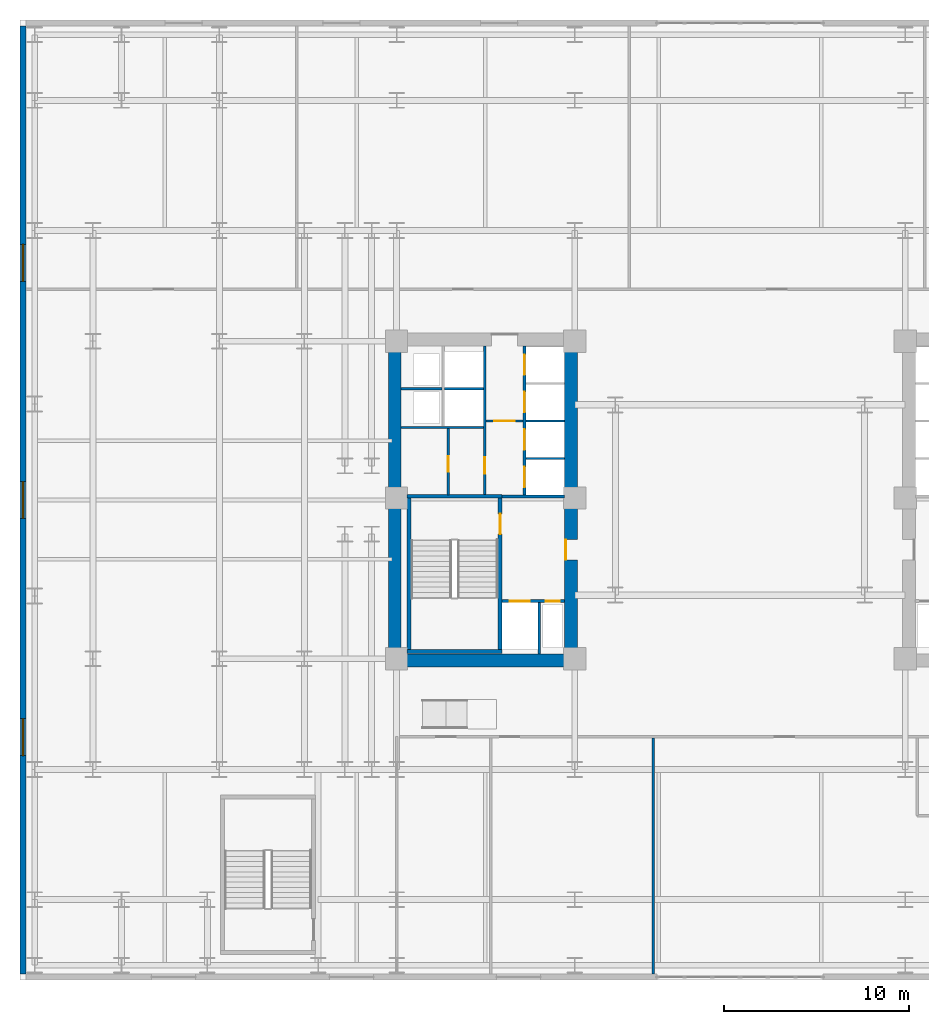
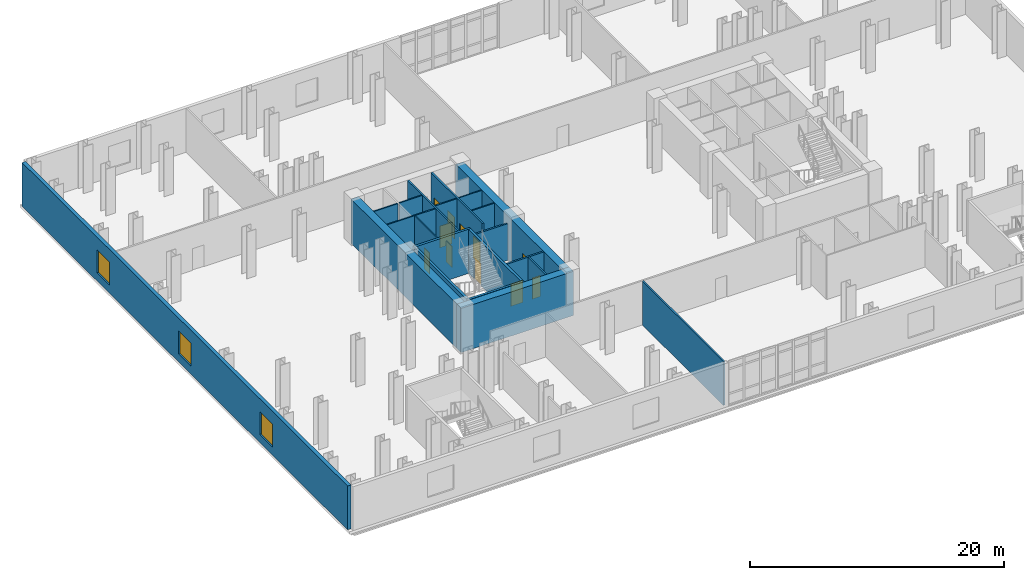
# One storey, part 8 of 13: 21 walls, 11 doors, 3 windows, 14 openings.
"""IFC4 building model written with IfcOpenShell, lengths in metres."""

import ifcopenshell
import ifcopenshell.guid

model = None  # the IFC model being written
_history = None  # IfcOwnerHistory: only IFC2X3 demands one
_inside = {}  # id of a spatial element -> (the spatial element, [elements in it])
_under = {}  # id of a project, library or spatial element -> (it, [spatial elements below it])
_declared = {}  # id of a project -> (the project, [libraries it declares])
_typed = {}  # id of a type object -> (the type object, [elements of that type])
_made_of = {}  # id of a material, layer set ... -> (it, [elements and type objects made of it])


def new_model(schema):
    """Start an empty IFC model of exactly this schema.

    Asked for "IFC4X3", IfcOpenShell would pick the latest addendum, in which some entities
    have other attributes; the version numbers below select the first issue.
    IFC2X3 requires an IfcOwnerHistory on every rooted entity: one is made here for all.
    """
    global model, _history
    if schema == "IFC4X3":
        model = ifcopenshell.file(schema_version=(4, 3, 0, 0))
    else:
        model = ifcopenshell.file(schema=schema)
    _inside.clear()
    _under.clear()
    _declared.clear()
    _typed.clear()
    _made_of.clear()
    _history = None
    if model.schema == "IFC2X3":
        org = make("IfcOrganization", Name="unknown")
        user = make(
            "IfcPersonAndOrganization",
            ThePerson=make("IfcPerson", FamilyName="unknown"),
            TheOrganization=org,
        )
        app = make(
            "IfcApplication",
            ApplicationDeveloper=org,
            Version="unknown",
            ApplicationFullName="unknown",
            ApplicationIdentifier="unknown",
        )
        _history = make(
            "IfcOwnerHistory",
            OwningUser=user,
            OwningApplication=app,
            ChangeAction="ADDED",
            CreationDate=0,
        )
    return model


def make(cls, **values):
    """One entity of the class cls with the attributes given. An attribute that is None is left unset."""
    return model.create_entity(
        cls, **{name: value for name, value in values.items() if value is not None}
    )


def rooted(cls, **values):
    """An entity with a GlobalId (a new one), such as an element, a storey or a relation."""
    return make(cls, GlobalId=ifcopenshell.guid.new(), OwnerHistory=_history, **values)


def si_unit(unit_type, name, prefix=None):
    """IfcSIUnit, for example si_unit("LENGTHUNIT", "METRE", prefix="MILLI")."""
    return make("IfcSIUnit", UnitType=unit_type, Prefix=prefix, Name=name)


def assignment(units):
    """IfcUnitAssignment: the units of a project."""
    return None if units is None else make("IfcUnitAssignment", Units=units)


def point(xyz):
    """IfcCartesianPoint."""
    return None if xyz is None else make("IfcCartesianPoint", Coordinates=xyz)


def direction(xyz):
    """IfcDirection."""
    return None if xyz is None else make("IfcDirection", DirectionRatios=xyz)


def frame(location, z_axis=None, x_axis=None):
    """IfcAxis2Placement3D, a coordinate frame: its origin and axes. An axis left out is left unset."""
    return make(
        "IfcAxis2Placement3D",
        Location=point(location),
        Axis=direction(z_axis),
        RefDirection=direction(x_axis),
    )


def frame_2d(location, x_axis=None):
    """IfcAxis2Placement2D, a coordinate frame in the plane: its origin and x axis."""
    return make(
        "IfcAxis2Placement2D", Location=point(location), RefDirection=direction(x_axis)
    )


def origin():
    """The frame at (0, 0, 0) with its axes left unset."""
    return frame((0.0, 0.0, 0.0))


def place(relative_to, where):
    """IfcLocalPlacement: puts the frame where relative to a parent placement (None: the world)."""
    return make(
        "IfcLocalPlacement", PlacementRelTo=relative_to, RelativePlacement=where
    )


def context(
    kind, dimensions, precision=None, world=None, true_north=None, identifier=None
):
    """IfcGeometricRepresentationContext, for example the 3D "Model" context."""
    return make(
        "IfcGeometricRepresentationContext",
        ContextIdentifier=identifier,
        ContextType=kind,
        CoordinateSpaceDimension=dimensions,
        Precision=precision,
        WorldCoordinateSystem=world,
        TrueNorth=true_north,
    )


def subcontext(parent, identifier, kind, view, scale=None):
    """IfcGeometricRepresentationSubContext, for example "Body" below "Model"."""
    return make(
        "IfcGeometricRepresentationSubContext",
        ContextIdentifier=identifier,
        ContextType=kind,
        ParentContext=parent,
        TargetScale=scale,
        TargetView=view,
    )


def project(units=None, contexts=None):
    """IfcProject with its units and contexts."""
    return rooted(
        "IfcProject",
        Name="project",
        RepresentationContexts=contexts,
        UnitsInContext=assignment(units),
    )


def spatial(cls, under=None, at=None, **own):
    """A site, building, storey or space (cls), placed at a placement, below another one or the project."""
    s = rooted(cls, ObjectPlacement=at, **own)
    if under is not None:
        _under.setdefault(under.id(), (under, []))[1].append(s)
    return s


def profile(cls, at=None, kind="AREA", **sizes):
    """A parametric profile (cls). Its sizes go by their IFC names, for example OverallWidth=200.0."""
    return make(cls, ProfileType=kind, Position=at, **sizes)


def rectangle(**sizes):
    """IfcRectangleProfileDef."""
    return profile("IfcRectangleProfileDef", **sizes)


def extrude(swept, where, along, depth):
    """IfcExtrudedAreaSolid: the profile swept, set in the frame where, extruded along a direction by depth."""
    return make(
        "IfcExtrudedAreaSolid",
        SweptArea=swept,
        Position=where,
        ExtrudedDirection=direction(along),
        Depth=depth,
    )


def shape(context_of_items, identifier, shape_type, items):
    """IfcShapeRepresentation: the items that make up one representation, for example the "Body"."""
    return make(
        "IfcShapeRepresentation",
        ContextOfItems=context_of_items,
        RepresentationIdentifier=identifier,
        RepresentationType=shape_type,
        Items=items,
    )


def material(Name=None, Category=None):
    """IfcMaterial."""
    return make("IfcMaterial", Name=Name, Category=Category)


def layer(
    of_material, thickness, ventilated=None, Name=None, Category=None, Priority=None
):
    """IfcMaterialLayer: one layer of a wall or slab, of a material (None: an air gap)."""
    return make(
        "IfcMaterialLayer",
        Material=of_material,
        LayerThickness=thickness,
        IsVentilated=ventilated,
        Name=Name,
        Category=Category,
        Priority=Priority,
    )


def layer_set(layers, Name=None):
    """IfcMaterialLayerSet."""
    return make("IfcMaterialLayerSet", MaterialLayers=layers, LayerSetName=Name)


def made_of(thing, what):
    """Note that an element or type object is made of a material, layer set ...; save() writes the relation."""
    if what is not None:
        _made_of.setdefault(what.id(), (what, []))[1].append(thing)
    return thing


def type_object(cls, material=None, **own):
    """A type object (cls), such as IfcWallType, which elements share."""
    return made_of(rooted(cls, **own), material)


def element(
    cls,
    number,
    at=None,
    inside=None,
    cuts=None,
    type_object=None,
    material=None,
    context=None,
    identifier="Body",
    shape_type=None,
    held_by="IfcProductDefinitionShape",
    body=None,
    shapes=None,
    **own,
):
    """One element of the class cls, such as IfcWall. Its Tag is "e" and its number.

    at: its placement. inside: the storey or other place that contains it. cuts: it is an
    opening in that element (IfcRelVoidsElement). A single representation is given by context,
    identifier, shape_type and body (its items); several are given by shapes. held_by: the class
    of the entity that holds the representations. save() writes the other relations.
    """
    e = rooted(cls, Tag="e%d" % number, ObjectPlacement=at, **own)
    if body is not None:
        shapes = [shape(context, identifier, shape_type, body)]
    if shapes is not None:
        e.Representation = make(held_by, Representations=shapes)
    if inside is not None:
        _inside.setdefault(inside.id(), (inside, []))[1].append(e)
    if cuts is not None:
        rooted(
            "IfcRelVoidsElement", RelatingBuildingElement=cuts, RelatedOpeningElement=e
        )
    if type_object is not None:
        _typed.setdefault(type_object.id(), (type_object, []))[1].append(e)
    return made_of(e, material)


def fill(opening, filler):
    """IfcRelFillsElement: the door or window that sits in an opening."""
    return rooted(
        "IfcRelFillsElement",
        RelatingOpeningElement=opening,
        RelatedBuildingElement=filler,
    )


def aggregate(whole, parts):
    """IfcRelAggregates: a whole, such as a stair, and the parts it consists of."""
    return rooted("IfcRelAggregates", RelatingObject=whole, RelatedObjects=parts)


def save(model, path):
    """Write the relations noted so far, then the file.

    IfcRelAggregates (storeys below a building ...), IfcRelContainedInSpatialStructure (elements
    in a storey), IfcRelDefinesByType, IfcRelAssociatesMaterial and IfcRelDeclares: one each for
    every whole, place, type object, material and project.
    """
    for whole, parts in _under.values():
        aggregate(whole, parts)
    for where, things in _inside.values():
        rooted(
            "IfcRelContainedInSpatialStructure",
            RelatedElements=things,
            RelatingStructure=where,
        )
    for kind, things in _typed.values():
        rooted("IfcRelDefinesByType", RelatedObjects=things, RelatingType=kind)
    for what, things in _made_of.values():
        rooted("IfcRelAssociatesMaterial", RelatedObjects=things, RelatingMaterial=what)
    for by, libraries in _declared.values():
        rooted("IfcRelDeclares", RelatingContext=by, RelatedDefinitions=libraries)
    model.write(path)


model = new_model("IFC4")

# Units and contexts
model_context = context("Model", 3, precision=1e-05, world=origin(), true_north=direction((0.0, 1.0)))
body_context = subcontext(model_context, "Body", "Model", "MODEL_VIEW")
ifc_project = project(units=[si_unit("LENGTHUNIT", "METRE"), si_unit("AREAUNIT", "SQUARE_METRE"), si_unit("VOLUMEUNIT", "CUBIC_METRE"), si_unit("PLANEANGLEUNIT", "RADIAN"), si_unit("MASSUNIT", "GRAM", prefix="KILO")], contexts=[model_context])

# Site, building, storey
site_placement = place(None, origin())
site = spatial("IfcSite", under=ifc_project, at=site_placement, CompositionType="ELEMENT")
building_placement = place(site_placement, origin())
building = spatial("IfcBuilding", under=site, at=building_placement, Name="Velakula Bourse", CompositionType="ELEMENT")
storey_placement = place(building_placement, frame((0.0, 0.0, 5.10009765625)))
storey = spatial("IfcBuildingStorey", under=building, at=storey_placement, Name="L01", CompositionType="ELEMENT", Elevation=5.10009765625)

# Wall, opening, door
ifc_material_1 = material(Name="Concrete M50 (fck 50 MPa)", Category="concrete")
ifc_layer_1 = layer(ifc_material_1, 0.2099609375, Name="Concrete M50 (fck 50 MPa)", Category="concrete")
ifc_layer_set_1 = layer_set([ifc_layer_1], Name="Concrete M50 (fck 50 MPa)")
wall_type_1 = type_object("IfcWallType", Name="WL-CORE-210", PredefinedType="SHEAR", material=ifc_layer_set_1)
wall_1_placement = place(storey_placement, frame((-12.9951171875, -8.10009765625, 0.0), z_axis=(0.0, 0.0, 1.0), x_axis=(0.0, 1.0, 0.0)))
wall_1 = element("IfcWall", 1, at=wall_1_placement, inside=storey, type_object=wall_type_1, Name="L01 Core W Stairwell Shear Wall IN", PredefinedType="SHEAR", context=body_context, shape_type="SweptSolid", body=[
    extrude(rectangle(XDim=8.2001953125, YDim=0.2099609375, at=frame_2d((4.10009765625, 0.0))), origin(), (0.0, 0.0, 1.0), 4.25),
])
opening_1_placement = place(wall_1_placement, frame((6.25, 0.0, 0.0)))
opening_1 = element("IfcOpeningElement", 2, at=opening_1_placement, cuts=wall_1, Name="Opening D-STW1", PredefinedType="OPENING", context=body_context, shape_type="SweptSolid", body=[
    extrude(rectangle(XDim=1.10009765625, YDim=2.14990234375, at=frame_2d((0.550048828125, 1.074951171875))), frame((0.0, 0.114990234375, 0.0), z_axis=(0.0, -1.0, 0.0), x_axis=(1.0, 0.0, 0.0)), (0.0, 0.0, 1.0), 0.22998046875),
])
ifc_material_2 = material(Name="Galvanised painted hollow steel fire door", Category="steel")
door_type_1 = type_object("IfcDoorType", Name="DR-FD120-1100x2150", OperationType="NOTDEFINED", PredefinedType="DOOR", material=ifc_material_2)
door_1_placement = place(opening_1_placement, origin())
door_1 = element("IfcDoor", 3, at=door_1_placement, inside=storey, type_object=door_type_1, Name="L01 Stair ST-W1 Fire Door", OperationType="SINGLE_SWING_LEFT", OverallHeight=2.14990234375, OverallWidth=1.10009765625, PredefinedType="DOOR", context=body_context, shape_type="SweptSolid", body=[
    extrude(rectangle(XDim=1.10009765625, YDim=2.14990234375, at=frame_2d((0.550048828125, 1.074951171875))), frame((0.0, 0.02490234375, 0.0), z_axis=(0.0, -1.0, 0.0), x_axis=(1.0, 0.0, 0.0)), (0.0, 0.0, 1.0), 0.050048828125),
])
fill(opening_1, door_1)

# Walls
wall_2_placement = place(storey_placement, frame((-17.925048828125, -8.10009765625, 0.0), z_axis=(0.0, 0.0, 1.0), x_axis=(0.0, 1.0, 0.0)))
element("IfcWall", 4, at=wall_2_placement, inside=storey, type_object=wall_type_1, Name="L01 Core W Stairwell Shear Wall OUT", PredefinedType="SHEAR", context=body_context, shape_type="SweptSolid", body=[
    extrude(rectangle(XDim=8.2001953125, YDim=0.2099609375, at=frame_2d((4.10009765625, 0.0))), origin(), (0.0, 0.0, 1.0), 4.25),
])
for number, where, z_axis, x_axis, name in (
    (5, (-18.030029296875, -8.205078125, 0.0), (0.0, 0.0, 1.0), (1.0, 0.0, 0.0), "L01 Core W Stairwell Shear Wall S"),
    (6, (-12.889892578125, 0.205078125, 0.0), (0.0, 0.0, 1.0), (-1.0, 0.0, 0.0), "L01 Core W Stairwell Shear Wall N"),
):
    element("IfcWall", number, at=place(storey_placement, frame(where, z_axis=z_axis, x_axis=x_axis)), inside=storey, type_object=wall_type_1, Name=name, PredefinedType="SHEAR", context=body_context, shape_type="SweptSolid", body=[
        extrude(rectangle(XDim=5.14013671875, YDim=0.2099609375, at=frame_2d((2.570068359375, 0.0))), origin(), (0.0, 0.0, 1.0), 4.25),
    ])
ifc_material_3 = material(Name="Concrete M70 (fck 70 MPa)", Category="concrete")
ifc_layer_2 = layer(ifc_material_3, 0.699951171875, Name="Concrete M70 (fck 70 MPa)", Category="concrete")
ifc_layer_set_2 = layer_set([ifc_layer_2], Name="Concrete M70 (fck 70 MPa)")
wall_type_2 = type_object("IfcWallType", Name="WL-CORE-700", PredefinedType="SHEAR", material=ifc_layer_set_2)
wall_3_placement = place(storey_placement, frame((-19.050048828125, -8.699951171875, 0.0), z_axis=(0.0, 0.0, 1.0), x_axis=(1.0, 0.0, 0.0)))
element("IfcWall", 7, at=wall_3_placement, inside=storey, type_object=wall_type_2, Name="L01 Core W Shear Wall S", PredefinedType="SHEAR", context=body_context, shape_type="SweptSolid", body=[
    extrude(rectangle(XDim=10.25, YDim=0.699951171875, at=frame_2d((5.125, 0.0))), origin(), (0.0, 0.0, 1.0), 4.25),
])
wall_4_placement = place(storey_placement, frame((-18.699951171875, -8.35009765625, 0.0), z_axis=(0.0, 0.0, 1.0), x_axis=(0.0, 1.0, 0.0)))
element("IfcWall", 8, at=wall_4_placement, inside=storey, type_object=wall_type_2, Name="L01 Core W Shear Wall W", PredefinedType="SHEAR", context=body_context, shape_type="SweptSolid", body=[
    extrude(rectangle(XDim=16.7001953125, YDim=0.699951171875, at=frame_2d((8.35009765625, 0.0))), origin(), (0.0, 0.0, 1.0), 4.25),
])

# Wall, opening, door
wall_5_placement = place(storey_placement, frame((-9.14990234375, -8.35009765625, 0.0), z_axis=(0.0, 0.0, 1.0), x_axis=(0.0, 1.0, 0.0)))
wall_5 = element("IfcWall", 9, at=wall_5_placement, inside=storey, type_object=wall_type_2, Name="L01 Core W Shear Wall E", PredefinedType="SHEAR", context=body_context, shape_type="SweptSolid", body=[
    extrude(rectangle(XDim=16.7001953125, YDim=0.699951171875, at=frame_2d((8.35009765625, 0.0))), origin(), (0.0, 0.0, 1.0), 4.25),
])
opening_2_placement = place(wall_5_placement, frame((5.10009765625, 0.0, 0.0)))
opening_2 = element("IfcOpeningElement", 10, at=opening_2_placement, cuts=wall_5, Name="Opening D-FLW", PredefinedType="OPENING", context=body_context, shape_type="SweptSolid", body=[
    extrude(rectangle(XDim=1.10009765625, YDim=2.080078125, at=frame_2d((0.550048828125, 1.0400390625))), frame((0.0, 0.35986328125, 0.0), z_axis=(0.0, -1.0, 0.0), x_axis=(1.0, 0.0, 0.0)), (0.0, 0.0, 1.0), 0.719970703125),
])
door_type_2 = type_object("IfcDoorType", Name="DR-FD120-1100", OperationType="NOTDEFINED", PredefinedType="DOOR", material=ifc_material_2)
door_2_placement = place(opening_2_placement, origin())
door_2 = element("IfcDoor", 11, at=door_2_placement, inside=storey, type_object=door_type_2, Name="L01 Firefighting Lobby W Corridor Fire Door", OperationType="SINGLE_SWING_LEFT", OverallHeight=2.080078125, OverallWidth=1.10009765625, PredefinedType="DOOR", context=body_context, shape_type="SweptSolid", body=[
    extrude(rectangle(XDim=1.10009765625, YDim=2.080078125, at=frame_2d((0.550048828125, 1.0400390625))), frame((0.0, 0.30517578125, 0.0), z_axis=(0.0, -1.0, 0.0), x_axis=(1.0, 0.0, 0.0)), (0.0, 0.0, 1.0), 0.050048828125),
])
fill(opening_2, door_2)

# Wall, openings, windows
ifc_material_4 = material(Name="Red kilned clay facing brick masonry", Category="masonry")
ifc_layer_3 = layer(ifc_material_4, 0.320068359375, Name="Red kilned clay facing brick masonry", Category="masonry")
ifc_layer_set_3 = layer_set([ifc_layer_3], Name="Red kilned clay facing brick masonry")
wall_type_3 = type_object("IfcWallType", Name="WL-EXT-BRK-320", PredefinedType="STANDARD", material=ifc_layer_set_3)
wall_6_placement = place(storey_placement, frame((-38.840087890625, -25.679931640625, 0.0), z_axis=(0.0, 0.0, 1.0), x_axis=(0.0, 1.0, 0.0)))
wall_6 = element("IfcWall", 12, at=wall_6_placement, inside=storey, type_object=wall_type_3, Name="L01 W Brick Facade Wall", PredefinedType="STANDARD", context=body_context, shape_type="SweptSolid", body=[
    extrude(rectangle(XDim=51.35986328125, YDim=0.320068359375, at=frame_2d((25.679931640625, 0.0))), origin(), (0.0, 0.0, 1.0), 4.22998046875),
])
opening_3_placement = place(wall_6_placement, frame((11.840087890625, 0.0, 0.800048828125)))
opening_3 = element("IfcOpeningElement", 13, at=opening_3_placement, cuts=wall_6, Name="Opening W-07", PredefinedType="OPENING", context=body_context, shape_type="SweptSolid", body=[
    extrude(rectangle(XDim=2.0, YDim=2.199951171875, at=frame_2d((1.0, 1.10009765625))), frame((0.0, 0.169921875, 0.0), z_axis=(0.0, -1.0, 0.0), x_axis=(1.0, 0.0, 0.0)), (0.0, 0.0, 1.0), 0.340087890625),
])
opening_4_placement = place(wall_6_placement, frame((24.679931640625, 0.0, 0.800048828125)))
opening_4 = element("IfcOpeningElement", 14, at=opening_4_placement, cuts=wall_6, Name="Opening W-07", PredefinedType="OPENING", context=body_context, shape_type="SweptSolid", body=[
    extrude(rectangle(XDim=2.0, YDim=2.199951171875, at=frame_2d((1.0, 1.10009765625))), frame((0.0, 0.169921875, 0.0), z_axis=(0.0, -1.0, 0.0), x_axis=(1.0, 0.0, 0.0)), (0.0, 0.0, 1.0), 0.340087890625),
])
opening_5_placement = place(wall_6_placement, frame((37.52001953125, 0.0, 0.800048828125)))
opening_5 = element("IfcOpeningElement", 15, at=opening_5_placement, cuts=wall_6, Name="Opening W-07", PredefinedType="OPENING", context=body_context, shape_type="SweptSolid", body=[
    extrude(rectangle(XDim=2.0, YDim=2.199951171875, at=frame_2d((1.0, 1.10009765625))), frame((0.0, 0.169921875, 0.0), z_axis=(0.0, -1.0, 0.0), x_axis=(1.0, 0.0, 0.0)), (0.0, 0.0, 1.0), 0.340087890625),
])
ifc_material_5 = material(Name="Double-glazed solar-control Low-E glass", Category="glass")
window_type = type_object("IfcWindowType", Name="WIN-POD-2000x2400", PartitioningType="DOUBLE_PANEL_VERTICAL", PredefinedType="WINDOW", material=ifc_material_5)
window_1_placement = place(opening_3_placement, origin())
window_1 = element("IfcWindow", 16, at=window_1_placement, inside=storey, type_object=window_type, Name="L01 Deep-Set Recessed Window 1", OverallHeight=2.199951171875, OverallWidth=2.0, PartitioningType="DOUBLE_PANEL_VERTICAL", PredefinedType="WINDOW", context=body_context, shape_type="SweptSolid", body=[
    extrude(rectangle(XDim=2.0, YDim=2.199951171875, at=frame_2d((1.0, 1.10009765625))), frame((0.0, 0.030029296875, 0.0), z_axis=(0.0, -1.0, 0.0), x_axis=(1.0, 0.0, 0.0)), (0.0, 0.0, 1.0), 0.06005859375),
])
fill(opening_3, window_1)
window_2_placement = place(opening_4_placement, origin())
window_2 = element("IfcWindow", 17, at=window_2_placement, inside=storey, type_object=window_type, Name="L01 Deep-Set Recessed Window 2", OverallHeight=2.199951171875, OverallWidth=2.0, PartitioningType="DOUBLE_PANEL_VERTICAL", PredefinedType="WINDOW", context=body_context, shape_type="SweptSolid", body=[
    extrude(rectangle(XDim=2.0, YDim=2.199951171875, at=frame_2d((1.0, 1.10009765625))), frame((0.0, 0.030029296875, 0.0), z_axis=(0.0, -1.0, 0.0), x_axis=(1.0, 0.0, 0.0)), (0.0, 0.0, 1.0), 0.06005859375),
])
fill(opening_4, window_2)
window_3_placement = place(opening_5_placement, origin())
window_3 = element("IfcWindow", 18, at=window_3_placement, inside=storey, type_object=window_type, Name="L01 Deep-Set Recessed Window 3", OverallHeight=2.199951171875, OverallWidth=2.0, PartitioningType="DOUBLE_PANEL_VERTICAL", PredefinedType="WINDOW", context=body_context, shape_type="SweptSolid", body=[
    extrude(rectangle(XDim=2.0, YDim=2.199951171875, at=frame_2d((1.0, 1.10009765625))), frame((0.0, 0.030029296875, 0.0), z_axis=(0.0, -1.0, 0.0), x_axis=(1.0, 0.0, 0.0)), (0.0, 0.0, 1.0), 0.06005859375),
])
fill(opening_5, window_3)

# Wall, opening, door
ifc_material_6 = material(Name="Fire-rated double-layer gypsum drywall partition", Category="gypsum")
ifc_layer_4 = layer(ifc_material_6, 0.1201171875, Name="Fire-rated double-layer gypsum drywall partition", Category="gypsum")
ifc_layer_set_4 = layer_set([ifc_layer_4], Name="Fire-rated double-layer gypsum drywall partition")
wall_type_4 = type_object("IfcWallType", Name="WL-PART-120", PredefinedType="STANDARD", material=ifc_layer_set_4)
wall_7_placement = place(storey_placement, frame((-13.75, 4.280029296875, 0.0), z_axis=(0.0, 0.0, 1.0), x_axis=(1.0, 0.0, 0.0)))
wall_7 = element("IfcWall", 19, at=wall_7_placement, inside=storey, type_object=wall_type_4, Name="L01 Interior Partition WL-CRW-L01-LL-K2", PredefinedType="STANDARD", context=body_context, shape_type="SweptSolid", body=[
    extrude(rectangle(XDim=2.0, YDim=0.1201171875, at=frame_2d((1.0, 0.0))), origin(), (0.0, 0.0, 1.0), 4.22998046875),
])
opening_6_placement = place(wall_7_placement, frame((0.449951171875, 0.0, 0.0)))
opening_6 = element("IfcOpeningElement", 20, at=opening_6_placement, cuts=wall_7, Name="Opening D-LK2", PredefinedType="OPENING", context=body_context, shape_type="SweptSolid", body=[
    extrude(rectangle(XDim=1.10009765625, YDim=2.10009765625, at=frame_2d((0.550048828125, 1.050048828125))), frame((0.0, 0.070068359375, 0.0), z_axis=(0.0, -1.0, 0.0), x_axis=(1.0, 0.0, 0.0)), (0.0, 0.0, 1.0), 0.14013671875),
])
ifc_material_7 = material(Name="Fire-rated hardwood flush architectural door", Category="wood")
door_type_3 = type_object("IfcDoorType", Name="DR-FD60-1100x2100", OperationType="NOTDEFINED", PredefinedType="DOOR", material=ifc_material_7)
door_3_placement = place(opening_6_placement, origin())
door_3 = element("IfcDoor", 21, at=door_3_placement, inside=storey, type_object=door_type_3, Name="L01 Core W Lift Lobby Zone Door", OperationType="SINGLE_SWING_RIGHT", OverallHeight=2.10009765625, OverallWidth=1.10009765625, PredefinedType="DOOR", context=body_context, shape_type="SweptSolid", body=[
    extrude(rectangle(XDim=1.10009765625, YDim=2.10009765625, at=frame_2d((0.550048828125, 1.050048828125))), frame((0.0, 0.02490234375, 0.0), z_axis=(0.0, -1.0, 0.0), x_axis=(1.0, 0.0, 0.0)), (0.0, 0.0, 1.0), 0.050048828125),
])
fill(opening_6, door_3)

# Walls
for number, where, z_axis, x_axis, name in (
    (22, (-11.60009765625, 2.2548828125, 0.0), (0.0, 0.0, 1.0), (1.0, 0.0, 0.0), "L01 Interior Partition WL-CRW-L01-BDIV-0"),
    (23, (-11.60009765625, 4.284912109375, 0.0), (0.0, 0.0, 1.0), (1.0, 0.0, 0.0), "L01 Interior Partition WL-CRW-L01-BDIV-1"),
):
    element("IfcWall", number, at=place(storey_placement, frame(where, z_axis=z_axis, x_axis=x_axis)), inside=storey, type_object=wall_type_4, Name=name, PredefinedType="STANDARD", context=body_context, shape_type="SweptSolid", body=[
        extrude(rectangle(XDim=2.10009765625, YDim=0.110107421875, at=frame_2d((1.050048828125, 0.0))), origin(), (0.0, 0.0, 1.0), 4.22998046875),
    ])
wall_8_placement = place(storey_placement, frame((-18.35009765625, 3.919921875, 0.0), z_axis=(0.0, 0.0, 1.0), x_axis=(1.0, 0.0, 0.0)))
element("IfcWall", 24, at=wall_8_placement, inside=storey, type_object=wall_type_4, Name="L01 Interior Partition WL-CRW-L01-HI-S", PredefinedType="STANDARD", context=body_context, shape_type="SweptSolid", body=[
    extrude(rectangle(XDim=4.4501953125, YDim=0.1201171875, at=frame_2d((2.22509765625, 0.0))), origin(), (0.0, 0.0, 1.0), 4.22998046875),
])
wall_9_placement = place(storey_placement, frame((-18.35009765625, 6.030029296875, 0.0), z_axis=(0.0, 0.0, 1.0), x_axis=(1.0, 0.0, 0.0)))
element("IfcWall", 25, at=wall_9_placement, inside=storey, type_object=wall_type_4, Name="L01 Interior Partition WL-CRW-L01-RIS-MID", PredefinedType="STANDARD", context=body_context, shape_type="SweptSolid", body=[
    extrude(rectangle(XDim=2.2001953125, YDim=0.1201171875, at=frame_2d((1.10009765625, 0.0))), origin(), (0.0, 0.0, 1.0), 4.22998046875),
])
wall_10_placement = place(storey_placement, frame((-16.0, 6.030029296875, 0.0), z_axis=(0.0, 0.0, 1.0), x_axis=(1.0, 0.0, 0.0)))
element("IfcWall", 26, at=wall_10_placement, inside=storey, type_object=wall_type_4, Name="L01 Interior Partition WL-CRW-L01-HI-DIV", PredefinedType="STANDARD", context=body_context, shape_type="SweptSolid", body=[
    extrude(rectangle(XDim=2.10009765625, YDim=0.1201171875, at=frame_2d((1.050048828125, 0.0))), origin(), (0.0, 0.0, 1.0), 4.22998046875),
])

# Wall, opening, door
wall_11_placement = place(storey_placement, frame((-15.800048828125, 0.27001953125, 0.0), z_axis=(0.0, 0.0, 1.0), x_axis=(0.0, 1.0, 0.0)))
wall_11 = element("IfcWall", 27, at=wall_11_placement, inside=storey, type_object=wall_type_4, Name="L01 Interior Partition WL-CRW-L01-K2", PredefinedType="STANDARD", context=body_context, shape_type="SweptSolid", body=[
    extrude(rectangle(XDim=3.590087890625, YDim=0.1201171875, at=frame_2d((1.794921875, 0.0))), origin(), (0.0, 0.0, 1.0), 4.22998046875),
])
opening_7_placement = place(wall_11_placement, frame((1.25, 0.0, 0.0)))
opening_7 = element("IfcOpeningElement", 28, at=opening_7_placement, cuts=wall_11, Name="Opening D-CE1", PredefinedType="OPENING", context=body_context, shape_type="SweptSolid", body=[
    extrude(rectangle(XDim=0.85009765625, YDim=2.050048828125, at=frame_2d((0.425048828125, 1.02490234375))), frame((0.0, 0.070068359375, 0.0), z_axis=(0.0, -1.0, 0.0), x_axis=(1.0, 0.0, 0.0)), (0.0, 0.0, 1.0), 0.14013671875),
])
door_type_4 = type_object("IfcDoorType", Name="DR-INT-850", OperationType="NOTDEFINED", PredefinedType="DOOR", material=ifc_material_7)
door_4_placement = place(opening_7_placement, origin())
door_4 = element("IfcDoor", 29, at=door_4_placement, inside=storey, type_object=door_type_4, Name="L01 Core Equipment Store Door", OperationType="SINGLE_SWING_RIGHT", OverallHeight=2.050048828125, OverallWidth=0.85009765625, PredefinedType="DOOR", context=body_context, shape_type="SweptSolid", body=[
    extrude(rectangle(XDim=0.85009765625, YDim=2.050048828125, at=frame_2d((0.425048828125, 1.02490234375))), frame((0.0, 0.02490234375, 0.0), z_axis=(0.0, -1.0, 0.0), x_axis=(1.0, 0.0, 0.0)), (0.0, 0.0, 1.0), 0.050048828125),
])
fill(opening_7, door_4)

# Wall
ifc_layer_5 = layer(ifc_material_6, 0.139892578125, Name="Fire-rated double-layer gypsum drywall partition", Category="gypsum")
ifc_layer_set_5 = layer_set([ifc_layer_5], Name="Fire-rated double-layer gypsum drywall partition")
wall_type_5 = type_object("IfcWallType", Name="WL-PART-140", PredefinedType="STANDARD", material=ifc_layer_set_5)
wall_12_placement = place(storey_placement, frame((-4.699951171875, -25.679931640625, 0.0), z_axis=(0.0, 0.0, 1.0), x_axis=(0.0, 1.0, 0.0)))
element("IfcWall", 30, at=wall_12_placement, inside=storey, type_object=wall_type_5, Name="L01 Interior Partition WL-POD-L01-SD2", PredefinedType="STANDARD", context=body_context, shape_type="SweptSolid", body=[
    extrude(rectangle(XDim=12.7900390625, YDim=0.139892578125, at=frame_2d((6.39501953125, 0.0))), origin(), (0.0, 0.0, 1.0), 4.22998046875),
])

# Wall, openings, doors
ifc_material_8 = material(Name="Autoclaved aerated concrete blockwork masonry", Category="masonry")
ifc_layer_6 = layer(ifc_material_8, 0.14990234375, Name="Autoclaved aerated concrete blockwork masonry", Category="masonry")
ifc_layer_set_6 = layer_set([ifc_layer_6], Name="Autoclaved aerated concrete blockwork masonry")
wall_type_6 = type_object("IfcWallType", Name="WL-SHAFT-150", PredefinedType="STANDARD", material=ifc_layer_set_6)
wall_13_placement = place(storey_placement, frame((-12.89501953125, -5.47509765625, 0.0), z_axis=(0.0, 0.0, 1.0), x_axis=(1.0, 0.0, 0.0)))
wall_13 = element("IfcWall", 31, at=wall_13_placement, inside=storey, type_object=wall_type_6, Name="L01 Interior Partition WL-CRW-L01-FFL-N", PredefinedType="STANDARD", context=body_context, shape_type="SweptSolid", body=[
    extrude(rectangle(XDim=3.39501953125, YDim=0.14990234375, at=frame_2d((1.697509765625, 0.0))), origin(), (0.0, 0.0, 1.0), 4.22998046875),
])
opening_8_placement = place(wall_13_placement, frame((0.419921875, 0.0, 0.0)))
opening_8 = element("IfcOpeningElement", 32, at=opening_8_placement, cuts=wall_13, Name="Opening LD-FFL-1", PredefinedType="OPENING", context=body_context, shape_type="SweptSolid", body=[
    extrude(rectangle(XDim=1.10009765625, YDim=2.14990234375, at=frame_2d((0.550048828125, 1.074951171875))), frame((0.0, 0.0849609375, 0.0), z_axis=(0.0, -1.0, 0.0), x_axis=(1.0, 0.0, 0.0)), (0.0, 0.0, 1.0), 0.169921875),
])
opening_9_placement = place(wall_13_placement, frame((2.3701171875, 0.0, 0.0)))
opening_9 = element("IfcOpeningElement", 33, at=opening_9_placement, cuts=wall_13, Name="Opening D-RS1", PredefinedType="OPENING", context=body_context, shape_type="SweptSolid", body=[
    extrude(rectangle(XDim=0.75, YDim=2.050048828125, at=frame_2d((0.375, 1.02490234375))), frame((0.0, 0.0849609375, 0.0), z_axis=(0.0, -1.0, 0.0), x_axis=(1.0, 0.0, 0.0)), (0.0, 0.0, 1.0), 0.169921875),
])
door_type_5 = type_object("IfcDoorType", Name="DR-RISER-800", OperationType="NOTDEFINED", PredefinedType="DOOR", material=ifc_material_2)
door_5_placement = place(opening_9_placement, origin())
door_5 = element("IfcDoor", 34, at=door_5_placement, inside=storey, type_object=door_type_5, Name="L01 Fire Riser Access Door", OperationType="SINGLE_SWING_LEFT", OverallHeight=2.050048828125, OverallWidth=0.75, PredefinedType="DOOR", context=body_context, shape_type="SweptSolid", body=[
    extrude(rectangle(XDim=0.75, YDim=2.050048828125, at=frame_2d((0.375, 1.02490234375))), frame((0.0, 0.02490234375, 0.0), z_axis=(0.0, -1.0, 0.0), x_axis=(1.0, 0.0, 0.0)), (0.0, 0.0, 1.0), 0.050048828125),
])
fill(opening_9, door_5)
ifc_material_9 = material(Name="Brushed grade 316 stainless steel", Category="steel")
door_type_6 = type_object("IfcDoorType", Name="DR-SLIDE-FFL-1100", OperationType="DOUBLE_DOOR_SLIDING", PredefinedType="DOOR", material=ifc_material_9)
door_6_placement = place(opening_8_placement, origin())
door_6 = element("IfcDoor", 35, at=door_6_placement, inside=storey, type_object=door_type_6, Name="L01 Firefighting Lift FFL-1 Sliding Landing Door", OperationType="DOUBLE_DOOR_SLIDING", OverallHeight=2.14990234375, OverallWidth=1.10009765625, PredefinedType="DOOR", context=body_context, shape_type="SweptSolid", body=[
    extrude(rectangle(XDim=1.10009765625, YDim=2.14990234375, at=frame_2d((0.550048828125, 1.074951171875))), frame((0.0, 0.02490234375, 0.0), z_axis=(0.0, -1.0, 0.0), x_axis=(1.0, 0.0, 0.0)), (0.0, 0.0, 1.0), 0.050048828125),
])
fill(opening_8, door_6)

# Walls
wall_14_placement = place(storey_placement, frame((-10.875, -8.35009765625, 0.0), z_axis=(0.0, 0.0, 1.0), x_axis=(0.0, 1.0, 0.0)))
element("IfcWall", 36, at=wall_14_placement, inside=storey, type_object=wall_type_6, Name="L01 Interior Partition WL-CRW-L01-FR-DIV", PredefinedType="STANDARD", context=body_context, shape_type="SweptSolid", body=[
    extrude(rectangle(XDim=2.800048828125, YDim=0.14990234375, at=frame_2d((1.39990234375, 0.0))), origin(), (0.0, 0.0, 1.0), 4.22998046875),
])
wall_15_placement = place(storey_placement, frame((-12.889892578125, 0.18994140625, 0.0), z_axis=(0.0, 0.0, 1.0), x_axis=(1.0, 0.0, 0.0)))
element("IfcWall", 37, at=wall_15_placement, inside=storey, type_object=wall_type_6, Name="L01 Interior Partition WL-CRW-L01-FF-TOP", PredefinedType="STANDARD", context=body_context, shape_type="SweptSolid", body=[
    extrude(rectangle(XDim=3.389892578125, YDim=0.14990234375, at=frame_2d((1.69482421875, 0.0))), origin(), (0.0, 0.0, 1.0), 3.52490234375),
])

# Wall, openings, doors
wall_16_placement = place(storey_placement, frame((-11.675048828125, 0.27001953125, 0.0), z_axis=(0.0, 0.0, 1.0), x_axis=(0.0, 1.0, 0.0)))
wall_16 = element("IfcWall", 38, at=wall_16_placement, inside=storey, type_object=wall_type_6, Name="L01 Interior Partition WL-CRW-L01-BANK-F", PredefinedType="STANDARD", context=body_context, shape_type="SweptSolid", body=[
    extrude(rectangle(XDim=8.080078125, YDim=0.14990234375, at=frame_2d((4.0400390625, 0.0))), origin(), (0.0, 0.0, 1.0), 4.22998046875),
])
opening_10_placement = place(wall_16_placement, frame((0.419921875, 0.0, 0.0)))
opening_10 = element("IfcOpeningElement", 39, at=opening_10_placement, cuts=wall_16, Name="Opening LD-P1", PredefinedType="OPENING", context=body_context, shape_type="SweptSolid", body=[
    extrude(rectangle(XDim=1.10009765625, YDim=2.10009765625, at=frame_2d((0.550048828125, 1.050048828125))), frame((0.0, 0.0849609375, 0.0), z_axis=(0.0, -1.0, 0.0), x_axis=(1.0, 0.0, 0.0)), (0.0, 0.0, 1.0), 0.169921875),
])
opening_11_placement = place(wall_16_placement, frame((2.449951171875, 0.0, 0.0)))
opening_11 = element("IfcOpeningElement", 40, at=opening_11_placement, cuts=wall_16, Name="Opening LD-P2", PredefinedType="OPENING", context=body_context, shape_type="SweptSolid", body=[
    extrude(rectangle(XDim=1.10009765625, YDim=2.10009765625, at=frame_2d((0.550048828125, 1.050048828125))), frame((0.0, 0.0849609375, 0.0), z_axis=(0.0, -1.0, 0.0), x_axis=(1.0, 0.0, 0.0)), (0.0, 0.0, 1.0), 0.169921875),
])
opening_12_placement = place(wall_16_placement, frame((4.47998046875, 0.0, 0.0)))
opening_12 = element("IfcOpeningElement", 41, at=opening_12_placement, cuts=wall_16, Name="Opening LD-P3", PredefinedType="OPENING", context=body_context, shape_type="SweptSolid", body=[
    extrude(rectangle(XDim=1.10009765625, YDim=2.10009765625, at=frame_2d((0.550048828125, 1.050048828125))), frame((0.0, 0.0849609375, 0.0), z_axis=(0.0, -1.0, 0.0), x_axis=(1.0, 0.0, 0.0)), (0.0, 0.0, 1.0), 0.169921875),
])
opening_13_placement = place(wall_16_placement, frame((6.510009765625, 0.0, 0.0)))
opening_13 = element("IfcOpeningElement", 42, at=opening_13_placement, cuts=wall_16, Name="Opening LD-P4", PredefinedType="OPENING", context=body_context, shape_type="SweptSolid", body=[
    extrude(rectangle(XDim=1.10009765625, YDim=2.10009765625, at=frame_2d((0.550048828125, 1.050048828125))), frame((0.0, 0.0849609375, 0.0), z_axis=(0.0, -1.0, 0.0), x_axis=(1.0, 0.0, 0.0)), (0.0, 0.0, 1.0), 0.169921875),
])
door_type_7 = type_object("IfcDoorType", Name="DR-SLIDE-LD-1100", OperationType="DOUBLE_DOOR_SLIDING", PredefinedType="DOOR", material=ifc_material_9)
door_7_placement = place(opening_10_placement, origin())
door_7 = element("IfcDoor", 43, at=door_7_placement, inside=storey, type_object=door_type_7, Name="L01 Passenger Lift P1 Sliding Landing Door", OperationType="DOUBLE_DOOR_SLIDING", OverallHeight=2.10009765625, OverallWidth=1.10009765625, PredefinedType="DOOR", context=body_context, shape_type="SweptSolid", body=[
    extrude(rectangle(XDim=1.10009765625, YDim=2.10009765625, at=frame_2d((0.550048828125, 1.050048828125))), frame((0.0, 0.02490234375, 0.0), z_axis=(0.0, -1.0, 0.0), x_axis=(1.0, 0.0, 0.0)), (0.0, 0.0, 1.0), 0.050048828125),
])
fill(opening_10, door_7)
door_8_placement = place(opening_11_placement, origin())
door_8 = element("IfcDoor", 44, at=door_8_placement, inside=storey, type_object=door_type_7, Name="L01 Passenger Lift P2 Sliding Landing Door", OperationType="DOUBLE_DOOR_SLIDING", OverallHeight=2.10009765625, OverallWidth=1.10009765625, PredefinedType="DOOR", context=body_context, shape_type="SweptSolid", body=[
    extrude(rectangle(XDim=1.10009765625, YDim=2.10009765625, at=frame_2d((0.550048828125, 1.050048828125))), frame((0.0, 0.02490234375, 0.0), z_axis=(0.0, -1.0, 0.0), x_axis=(1.0, 0.0, 0.0)), (0.0, 0.0, 1.0), 0.050048828125),
])
fill(opening_11, door_8)
door_9_placement = place(opening_12_placement, origin())
door_9 = element("IfcDoor", 45, at=door_9_placement, inside=storey, type_object=door_type_7, Name="L01 Passenger Lift P3 Sliding Landing Door", OperationType="DOUBLE_DOOR_SLIDING", OverallHeight=2.10009765625, OverallWidth=1.10009765625, PredefinedType="DOOR", context=body_context, shape_type="SweptSolid", body=[
    extrude(rectangle(XDim=1.10009765625, YDim=2.10009765625, at=frame_2d((0.550048828125, 1.050048828125))), frame((0.0, 0.02490234375, 0.0), z_axis=(0.0, -1.0, 0.0), x_axis=(1.0, 0.0, 0.0)), (0.0, 0.0, 1.0), 0.050048828125),
])
fill(opening_12, door_9)
door_10_placement = place(opening_13_placement, origin())
door_10 = element("IfcDoor", 46, at=door_10_placement, inside=storey, type_object=door_type_7, Name="L01 Passenger Lift P4 Sliding Landing Door", OperationType="DOUBLE_DOOR_SLIDING", OverallHeight=2.10009765625, OverallWidth=1.10009765625, PredefinedType="DOOR", context=body_context, shape_type="SweptSolid", body=[
    extrude(rectangle(XDim=1.10009765625, YDim=2.10009765625, at=frame_2d((0.550048828125, 1.050048828125))), frame((0.0, 0.02490234375, 0.0), z_axis=(0.0, -1.0, 0.0), x_axis=(1.0, 0.0, 0.0)), (0.0, 0.0, 1.0), 0.050048828125),
])
fill(opening_13, door_10)

# Wall, opening, door
wall_17_placement = place(storey_placement, frame((-13.824951171875, 0.27001953125, 0.0), z_axis=(0.0, 0.0, 1.0), x_axis=(0.0, 1.0, 0.0)))
wall_17 = element("IfcWall", 47, at=wall_17_placement, inside=storey, type_object=wall_type_6, Name="L01 Interior Partition WL-CRW-L01-OUT-F", PredefinedType="STANDARD", context=body_context, shape_type="SweptSolid", body=[
    extrude(rectangle(XDim=8.080078125, YDim=0.14990234375, at=frame_2d((4.0400390625, 0.0))), origin(), (0.0, 0.0, 1.0), 4.22998046875),
])
opening_14_placement = place(wall_17_placement, frame((1.14990234375, 0.0, 0.0)))
opening_14 = element("IfcOpeningElement", 48, at=opening_14_placement, cuts=wall_17, Name="Opening D-CP1", PredefinedType="OPENING", context=body_context, shape_type="SweptSolid", body=[
    extrude(rectangle(XDim=0.89990234375, YDim=2.050048828125, at=frame_2d((0.449951171875, 1.02490234375))), frame((0.0, 0.0849609375, 0.0), z_axis=(0.0, -1.0, 0.0), x_axis=(1.0, 0.0, 0.0)), (0.0, 0.0, 1.0), 0.169921875),
])
door_type_8 = type_object("IfcDoorType", Name="DR-INT-900", OperationType="NOTDEFINED", PredefinedType="DOOR", material=ifc_material_7)
door_11_placement = place(opening_14_placement, origin())
door_11 = element("IfcDoor", 49, at=door_11_placement, inside=storey, type_object=door_type_8, Name="L01 Core Tea Pantry Door", OperationType="SINGLE_SWING_RIGHT", OverallHeight=2.050048828125, OverallWidth=0.89990234375, PredefinedType="DOOR", context=body_context, shape_type="SweptSolid", body=[
    extrude(rectangle(XDim=0.89990234375, YDim=2.050048828125, at=frame_2d((0.449951171875, 1.02490234375))), frame((0.0, 0.02490234375, 0.0), z_axis=(0.0, -1.0, 0.0), x_axis=(1.0, 0.0, 0.0)), (0.0, 0.0, 1.0), 0.050048828125),
])
fill(opening_14, door_11)

save(model, "model.ifc")
